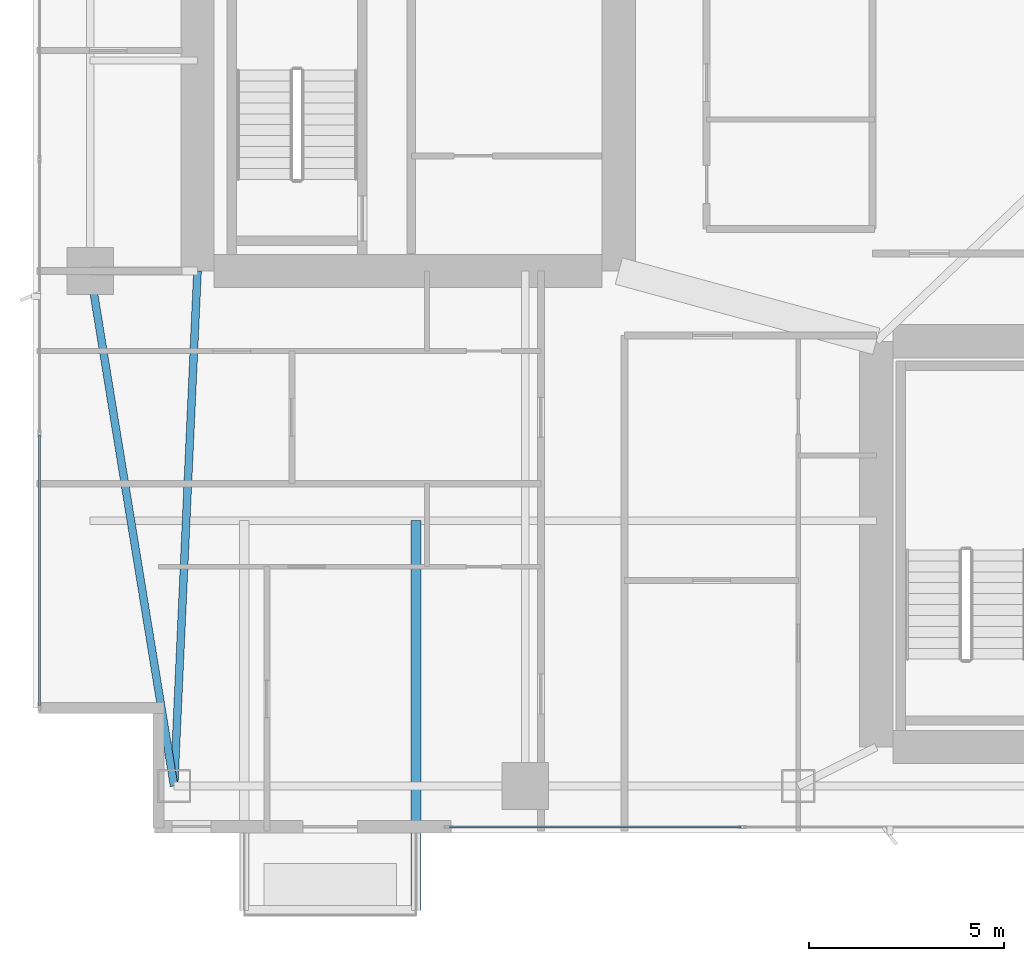
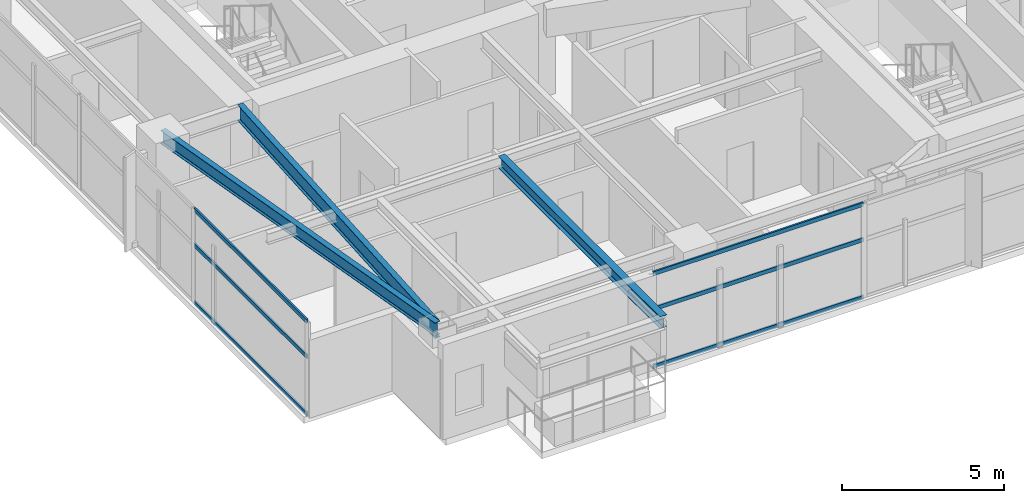
# One storey, part 3 of 29: 6 members, 3 beams, 2 elements without a shape of their own.
"""IFC4 building model written with IfcOpenShell, lengths in metres."""

from ifc_helpers import new_model, si_unit, direction, frame, origin, origin_2d, place, context, subcontext, project, spatial, hollow_rectangle, i_section, extrude, material, layer, layer_set, material_profile, profile_set, type_object, element, aggregate, save


model = new_model("IFC4")

# Units and contexts
model_context = context("Model", 3, precision=1e-05, world=origin(), true_north=direction((0.0, 1.0)))
body_context = subcontext(model_context, "Body", "Model", "MODEL_VIEW")
ifc_project = project(units=[si_unit("LENGTHUNIT", "METRE"), si_unit("AREAUNIT", "SQUARE_METRE"), si_unit("VOLUMEUNIT", "CUBIC_METRE"), si_unit("PLANEANGLEUNIT", "RADIAN"), si_unit("MASSUNIT", "GRAM", prefix="KILO")], contexts=[model_context])

# Site, building, storey
site_placement = place(None, origin())
site = spatial("IfcSite", under=ifc_project, at=site_placement, CompositionType="ELEMENT")
building_placement = place(site_placement, origin())
building = spatial("IfcBuilding", under=site, at=building_placement, Name="Calvorn Quay Hotel", CompositionType="ELEMENT")
storey_placement = place(building_placement, frame((0.0, 0.0, 167.5)))
storey = spatial("IfcBuildingStorey", under=building, at=storey_placement, Name="L41", CompositionType="ELEMENT", Elevation=167.5)

# Beams
ifc_material_1 = material(Name="Steel Q355B", Category="steel")
ifc_material_profile_1 = material_profile(ifc_material_1, i_section(OverallWidth=0.25, OverallDepth=0.449951171875, WebThickness=0.011962890625, FlangeThickness=0.01611328125, FilletRadius=0.01611328125, at=origin_2d()), Name="HN450x250x12x16")
ifc_profile_set_1 = profile_set([ifc_material_profile_1], Name="Steel Q355B")
beam_type_1 = type_object("IfcBeamType", Name="BM-CANT-BALC", PredefinedType="BEAM", material=ifc_profile_set_1)
beam_1_placement = place(storey_placement, frame((9.800048828125, 10.39990234375, 3.31494140625), z_axis=(0.0, -1.0, 0.0), x_axis=(1.0, 0.0, 0.0)))
element("IfcBeam", 1, at=beam_1_placement, inside=storey, type_object=beam_type_1, Name="Cantilever Balcony Beam BCB-L42-2B", PredefinedType="BEAM", context=body_context, shape_type="SweptSolid", body=[
    extrude(i_section(OverallWidth=0.25, OverallDepth=0.449951171875, WebThickness=0.011962890625, FlangeThickness=0.01611328125, FilletRadius=0.01611328125, at=origin_2d()), origin(), (0.0, 0.0, 1.0), 9.989990234375),
])
ifc_material_2 = material(Name="Steel Q355B", Category="steel")
ifc_material_profile_2 = material_profile(ifc_material_2, i_section(OverallWidth=0.199951171875, OverallDepth=0.60009765625, WebThickness=0.010986328125, FlangeThickness=0.01708984375, FilletRadius=0.01806640625, at=origin_2d()), Name="HN600x200x11x17")
ifc_profile_set_2 = profile_set([ifc_material_profile_2], Name="Steel Q355B")
beam_type_2 = type_object("IfcBeamType", Name="BM-GIRD-TYP", PredefinedType="BEAM", material=ifc_profile_set_2)
beam_2_placement = place(storey_placement, frame((3.60009765625, 3.60009765625, 3.239990234375), z_axis=(0.045396765494, 0.998969035397, 0.0), x_axis=(-0.998969035397, 0.045396765494, 0.0)))
element("IfcBeam", 2, at=beam_2_placement, inside=storey, type_object=beam_type_2, Name="Beam BG-L41-W0", PredefinedType="BEAM", context=body_context, shape_type="SweptSolid", body=[
    extrude(i_section(OverallWidth=0.199951171875, OverallDepth=0.60009765625, WebThickness=0.010986328125, FlangeThickness=0.01708984375, FilletRadius=0.01806640625, at=origin_2d()), origin(), (0.0, 0.0, 1.0), 13.213623046875),
])
ifc_material_3 = material(Name="Steel Q355B", Category="steel")
ifc_material_profile_3 = material_profile(ifc_material_3, i_section(OverallWidth=0.199951171875, OverallDepth=0.5, WebThickness=0.010009765625, FlangeThickness=0.01611328125, FilletRadius=0.01611328125, at=origin_2d()), Name="HN500x200x10x16")
ifc_profile_set_3 = profile_set([ifc_material_profile_3], Name="Steel Q355B")
beam_type_3 = type_object("IfcBeamType", Name="BM-SPANDREL-Z1", PredefinedType="SPANDREL", material=ifc_profile_set_3)
beam_3_placement = place(storey_placement, frame((3.60009765625, 3.60009765625, 3.2900390625), z_axis=(-0.16077155054, 0.986991645627, 0.0), x_axis=(-0.986991645627, -0.16077155054, 0.0)))
element("IfcBeam", 3, at=beam_3_placement, inside=storey, type_object=beam_type_3, Name="Beam BSP-L41-W1", PredefinedType="SPANDREL", context=body_context, shape_type="SweptSolid", body=[
    extrude(i_section(OverallWidth=0.199951171875, OverallDepth=0.5, WebThickness=0.010009765625, FlangeThickness=0.01611328125, FilletRadius=0.01611328125, at=origin_2d()), origin(), (0.0, 0.0, 1.0), 13.3740234375),
])

# Curtain wall, members
ifc_material_4 = material(Name="Pale Anodised Aluminium and Low-E Glass", Category="aluminium")
ifc_layer = layer(ifc_material_4, 0.219970703125)
ifc_layer_set = layer_set([ifc_layer], Name="CW-SYS-Z2")
curtain_wall_type = type_object("IfcCurtainWallType", Name="CW-SYS-Z2", PredefinedType="NOTDEFINED", material=ifc_layer_set)
curtain_wall_1_placement = place(storey_placement, origin())
curtain_wall_1 = element("IfcCurtainWall", 4, at=curtain_wall_1_placement, inside=storey, type_object=curtain_wall_type, Name="Tower West Curtain Wall (L41)", PredefinedType="NOTDEFINED")
ifc_material_5 = material(Name="Pale Anodised Aluminium 6063-T6", Category="aluminium")
ifc_material_profile_4 = material_profile(ifc_material_5, hollow_rectangle(XDim=0.06005859375, YDim=0.14990234375, WallThickness=0.00341796875, at=origin_2d()), Name="ALU-T150x60x3.5")
ifc_profile_set_4 = profile_set([ifc_material_profile_4], Name="Pale Anodised Aluminium 6063-T6")
member_type = type_object("IfcMemberType", Name="CW-SYS-Z2-TRN", PredefinedType="USERDEFINED", material=ifc_profile_set_4)
member_1_placement = place(storey_placement, frame((0.14990234375, 5.659912109375, 0.030029296875), z_axis=(0.0, 1.0, 0.0), x_axis=(-1.0, 0.0, 0.0)))
member_1 = element("IfcMember", 5, at=member_1_placement, type_object=member_type, Name="CW-L41-W transom 1.1", ObjectType="TRANSOM", PredefinedType="USERDEFINED", context=body_context, shape_type="SweptSolid", body=[
    extrude(hollow_rectangle(XDim=0.06005859375, YDim=0.14990234375, WallThickness=0.00341796875, at=origin_2d()), origin(), (0.0, 0.0, 1.0), 6.943359375),
])
member_2_placement = place(storey_placement, frame((0.14990234375, 5.659912109375, 2.199951171875), z_axis=(0.0, 1.0, 0.0), x_axis=(-1.0, 0.0, 0.0)))
member_2 = element("IfcMember", 6, at=member_2_placement, type_object=member_type, Name="CW-L41-W transom 1.2", ObjectType="TRANSOM", PredefinedType="USERDEFINED", context=body_context, shape_type="SweptSolid", body=[
    extrude(hollow_rectangle(XDim=0.06005859375, YDim=0.14990234375, WallThickness=0.00341796875, at=origin_2d()), origin(), (0.0, 0.0, 1.0), 6.943359375),
])
member_3_placement = place(storey_placement, frame((0.14990234375, 5.659912109375, 3.530029296875), z_axis=(0.0, 1.0, 0.0), x_axis=(-1.0, 0.0, 0.0)))
member_3 = element("IfcMember", 7, at=member_3_placement, type_object=member_type, Name="CW-L41-W transom 1.3", ObjectType="TRANSOM", PredefinedType="USERDEFINED", context=body_context, shape_type="SweptSolid", body=[
    extrude(hollow_rectangle(XDim=0.06005859375, YDim=0.14990234375, WallThickness=0.00341796875, at=origin_2d()), origin(), (0.0, 0.0, 1.0), 6.943359375),
])
aggregate(curtain_wall_1, [member_1, member_2, member_3])

curtain_wall_2_placement = place(storey_placement, origin())
curtain_wall_2 = element("IfcCurtainWall", 8, at=curtain_wall_2_placement, inside=storey, type_object=curtain_wall_type, Name="Tower South Waterfront Curtain Wall (L41)", PredefinedType="NOTDEFINED")
member_4_placement = place(storey_placement, frame((10.659912109375, 2.550048828125, 0.030029296875), z_axis=(1.0, 0.0, 0.0), x_axis=(0.0, 1.0, 0.0)))
member_4 = element("IfcMember", 9, at=member_4_placement, type_object=member_type, Name="CW-L41-S transom 1.1", ObjectType="TRANSOM", PredefinedType="USERDEFINED", context=body_context, shape_type="SweptSolid", body=[
    extrude(hollow_rectangle(XDim=0.06005859375, YDim=0.14990234375, WallThickness=0.00341796875, at=origin_2d()), origin(), (0.0, 0.0, 1.0), 7.476806640625),
])
member_5_placement = place(storey_placement, frame((10.659912109375, 2.550048828125, 2.199951171875), z_axis=(1.0, 0.0, 0.0), x_axis=(0.0, 1.0, 0.0)))
member_5 = element("IfcMember", 10, at=member_5_placement, type_object=member_type, Name="CW-L41-S transom 1.2", ObjectType="TRANSOM", PredefinedType="USERDEFINED", context=body_context, shape_type="SweptSolid", body=[
    extrude(hollow_rectangle(XDim=0.06005859375, YDim=0.14990234375, WallThickness=0.00341796875, at=origin_2d()), origin(), (0.0, 0.0, 1.0), 7.476806640625),
])
member_6_placement = place(storey_placement, frame((10.659912109375, 2.550048828125, 3.530029296875), z_axis=(1.0, 0.0, 0.0), x_axis=(0.0, 1.0, 0.0)))
member_6 = element("IfcMember", 11, at=member_6_placement, type_object=member_type, Name="CW-L41-S transom 1.3", ObjectType="TRANSOM", PredefinedType="USERDEFINED", context=body_context, shape_type="SweptSolid", body=[
    extrude(hollow_rectangle(XDim=0.06005859375, YDim=0.14990234375, WallThickness=0.00341796875, at=origin_2d()), origin(), (0.0, 0.0, 1.0), 7.476806640625),
])
aggregate(curtain_wall_2, [member_4, member_5, member_6])

save(model, "model.ifc")
